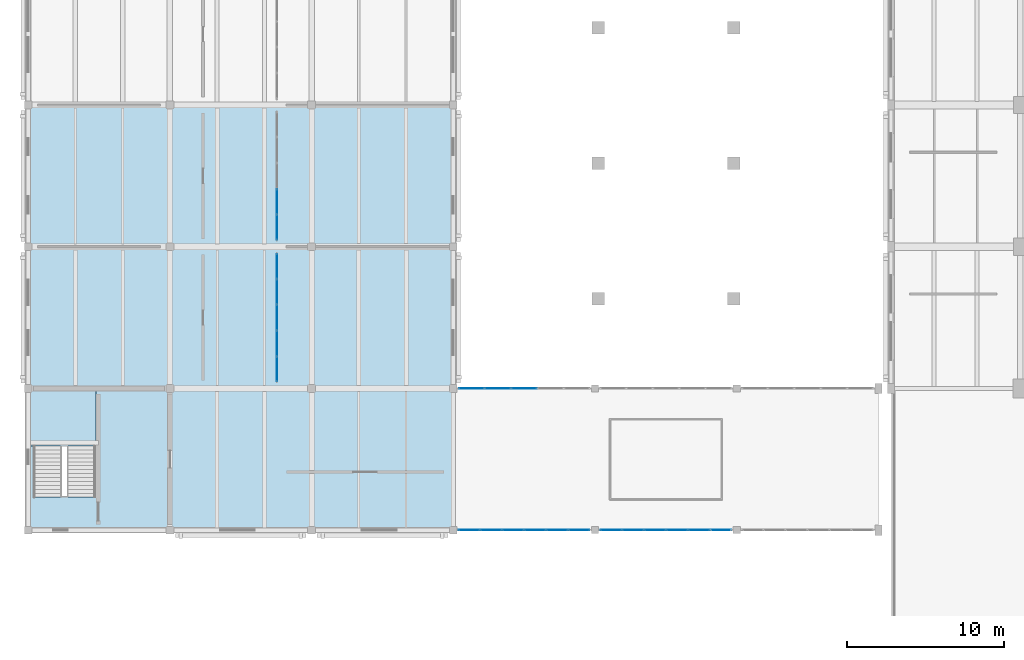
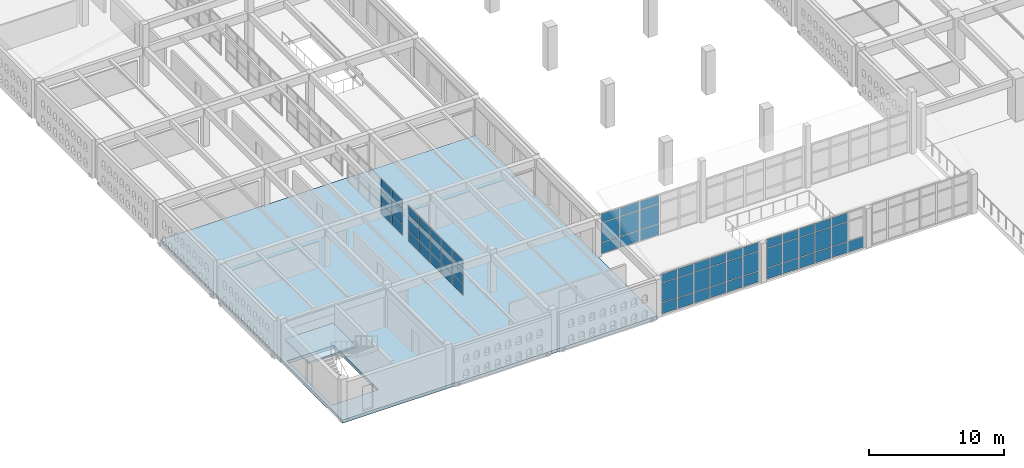
# One storey, part 106 of 156: 64 plates, 2 slabs, 6 elements without a shape of their own.
"""IFC4 building model written with IfcOpenShell, lengths in metres."""

from ifc_helpers import new_model, si_unit, direction, frame, origin, origin_2d, place, context, subcontext, project, spatial, polyline, rectangle, outline, extrude, material, layer, layer_set, type_object, element, aggregate, save


model = new_model("IFC4")

# Units and contexts
model_context = context("Model", 3, precision=1e-05, world=origin(), true_north=direction((0.0, 1.0)))
body_context = subcontext(model_context, "Body", "Model", "MODEL_VIEW")
ifc_project = project(units=[si_unit("LENGTHUNIT", "METRE"), si_unit("AREAUNIT", "SQUARE_METRE"), si_unit("VOLUMEUNIT", "CUBIC_METRE"), si_unit("PLANEANGLEUNIT", "RADIAN"), si_unit("MASSUNIT", "GRAM", prefix="KILO")], contexts=[model_context])

# Site, building, storey
site_placement = place(None, origin())
site = spatial("IfcSite", under=ifc_project, at=site_placement, CompositionType="ELEMENT")
building_placement = place(site_placement, origin())
building = spatial("IfcBuilding", under=site, at=building_placement, Name="Ornek Quay Market", CompositionType="ELEMENT")
storey_placement = place(building_placement, frame((0.0, 0.0, 4.5)))
storey = spatial("IfcBuildingStorey", under=building, at=storey_placement, Name="L01", CompositionType="ELEMENT", Elevation=4.5)

# Curtain wall, plates
ifc_material_1 = material(Name="Anodised bronze aluminium and triple low-e glass", Category="aluminium")
ifc_layer_1 = layer(ifc_material_1, 0.179931640625, Name="Anodised bronze aluminium and triple low-e glass", Category="aluminium")
ifc_layer_set_1 = layer_set([ifc_layer_1], Name="Anodised bronze aluminium and triple low-e glass")
curtain_wall_type_1 = type_object("IfcCurtainWallType", Name="CW-CONC-MOD1500", PredefinedType="USERDEFINED", material=ifc_layer_set_1)
curtain_wall_1_placement = place(storey_placement, origin())
curtain_wall_1 = element("IfcCurtainWall", 1, at=curtain_wall_1_placement, inside=storey, type_object=curtain_wall_type_1, Name="Curtain wall CW-133", ObjectType="CURTAIN WALL", PredefinedType="USERDEFINED")
ifc_material_2 = material(Name="Toughened laminated acoustic glass", Category="glass")
ifc_layer_2 = layer(ifc_material_2, 0.01611328125, Name="Toughened laminated acoustic glass", Category="glass")
ifc_layer_set_2 = layer_set([ifc_layer_2], Name="Toughened laminated acoustic glass")
plate_type_1 = type_object("IfcPlateType", Name="PL-CW-INT-16", PredefinedType="CURTAIN_PANEL", material=ifc_layer_set_2)
plate_1_placement = place(storey_placement, frame((15.800048828125, 30.235107421875, 0.06005859375), z_axis=(0.0, 0.0, 1.0), x_axis=(0.0, 1.0, 0.0)))
plate_1 = element("IfcPlate", 2, at=plate_1_placement, type_object=plate_type_1, Name="CW-133 panel 1.1", PredefinedType="CURTAIN_PANEL", context=body_context, shape_type="SweptSolid", body=[
    extrude(rectangle(XDim=1.550048828125, YDim=0.01611328125, at=origin_2d()), origin(), (0.0, 0.0, 1.0), 0.9599609375),
])
plate_2_placement = place(storey_placement, frame((15.800048828125, 30.235107421875, 1.080078125), z_axis=(0.0, 0.0, 1.0), x_axis=(0.0, 1.0, 0.0)))
plate_2 = element("IfcPlate", 3, at=plate_2_placement, type_object=plate_type_1, Name="CW-133 panel 1.2", PredefinedType="CURTAIN_PANEL", context=body_context, shape_type="SweptSolid", body=[
    extrude(rectangle(XDim=1.550048828125, YDim=0.01611328125, at=origin_2d()), origin(), (0.0, 0.0, 1.0), 1.340087890625),
])
plate_3_placement = place(storey_placement, frame((15.800048828125, 30.235107421875, 2.47998046875), z_axis=(0.0, 0.0, 1.0), x_axis=(0.0, 1.0, 0.0)))
plate_3 = element("IfcPlate", 4, at=plate_3_placement, type_object=plate_type_1, Name="CW-133 panel 1.3", PredefinedType="CURTAIN_PANEL", context=body_context, shape_type="SweptSolid", body=[
    extrude(rectangle(XDim=1.550048828125, YDim=0.01611328125, at=origin_2d()), origin(), (0.0, 0.0, 1.0), 0.760009765625),
])
plate_4_placement = place(storey_placement, frame((15.800048828125, 31.860107421875, 0.06005859375), z_axis=(0.0, 0.0, 1.0), x_axis=(0.0, 1.0, 0.0)))
plate_4 = element("IfcPlate", 5, at=plate_4_placement, type_object=plate_type_1, Name="CW-133 panel 2.1", PredefinedType="CURTAIN_PANEL", context=body_context, shape_type="SweptSolid", body=[
    extrude(rectangle(XDim=1.580078125, YDim=0.01611328125, at=origin_2d()), origin(), (0.0, 0.0, 1.0), 0.9599609375),
])
plate_5_placement = place(storey_placement, frame((15.800048828125, 31.860107421875, 1.080078125), z_axis=(0.0, 0.0, 1.0), x_axis=(0.0, 1.0, 0.0)))
plate_5 = element("IfcPlate", 6, at=plate_5_placement, type_object=plate_type_1, Name="CW-133 panel 2.2", PredefinedType="CURTAIN_PANEL", context=body_context, shape_type="SweptSolid", body=[
    extrude(rectangle(XDim=1.580078125, YDim=0.01611328125, at=origin_2d()), origin(), (0.0, 0.0, 1.0), 1.340087890625),
])
plate_6_placement = place(storey_placement, frame((15.800048828125, 31.860107421875, 2.47998046875), z_axis=(0.0, 0.0, 1.0), x_axis=(0.0, 1.0, 0.0)))
plate_6 = element("IfcPlate", 7, at=plate_6_placement, type_object=plate_type_1, Name="CW-133 panel 2.3", PredefinedType="CURTAIN_PANEL", context=body_context, shape_type="SweptSolid", body=[
    extrude(rectangle(XDim=1.580078125, YDim=0.01611328125, at=origin_2d()), origin(), (0.0, 0.0, 1.0), 0.760009765625),
])
plate_7_placement = place(storey_placement, frame((15.800048828125, 33.5, 0.06005859375), z_axis=(0.0, 0.0, 1.0), x_axis=(0.0, 1.0, 0.0)))
plate_7 = element("IfcPlate", 8, at=plate_7_placement, type_object=plate_type_1, Name="CW-133 panel 3.1", PredefinedType="CURTAIN_PANEL", context=body_context, shape_type="SweptSolid", body=[
    extrude(rectangle(XDim=1.580078125, YDim=0.01611328125, at=origin_2d()), origin(), (0.0, 0.0, 1.0), 0.9599609375),
])
plate_8_placement = place(storey_placement, frame((15.800048828125, 33.5, 1.080078125), z_axis=(0.0, 0.0, 1.0), x_axis=(0.0, 1.0, 0.0)))
plate_8 = element("IfcPlate", 9, at=plate_8_placement, type_object=plate_type_1, Name="CW-133 panel 3.2", PredefinedType="CURTAIN_PANEL", context=body_context, shape_type="SweptSolid", body=[
    extrude(rectangle(XDim=1.580078125, YDim=0.01611328125, at=origin_2d()), origin(), (0.0, 0.0, 1.0), 1.340087890625),
])
plate_9_placement = place(storey_placement, frame((15.800048828125, 33.5, 2.47998046875), z_axis=(0.0, 0.0, 1.0), x_axis=(0.0, 1.0, 0.0)))
plate_9 = element("IfcPlate", 10, at=plate_9_placement, type_object=plate_type_1, Name="CW-133 panel 3.3", PredefinedType="CURTAIN_PANEL", context=body_context, shape_type="SweptSolid", body=[
    extrude(rectangle(XDim=1.580078125, YDim=0.01611328125, at=origin_2d()), origin(), (0.0, 0.0, 1.0), 0.760009765625),
])
plate_10_placement = place(storey_placement, frame((15.800048828125, 35.139892578125, 0.06005859375), z_axis=(0.0, 0.0, 1.0), x_axis=(0.0, 1.0, 0.0)))
plate_10 = element("IfcPlate", 11, at=plate_10_placement, type_object=plate_type_1, Name="CW-133 panel 4.1", PredefinedType="CURTAIN_PANEL", context=body_context, shape_type="SweptSolid", body=[
    extrude(rectangle(XDim=1.580078125, YDim=0.01611328125, at=origin_2d()), origin(), (0.0, 0.0, 1.0), 0.9599609375),
])
plate_11_placement = place(storey_placement, frame((15.800048828125, 35.139892578125, 1.080078125), z_axis=(0.0, 0.0, 1.0), x_axis=(0.0, 1.0, 0.0)))
plate_11 = element("IfcPlate", 12, at=plate_11_placement, type_object=plate_type_1, Name="CW-133 panel 4.2", PredefinedType="CURTAIN_PANEL", context=body_context, shape_type="SweptSolid", body=[
    extrude(rectangle(XDim=1.580078125, YDim=0.01611328125, at=origin_2d()), origin(), (0.0, 0.0, 1.0), 1.340087890625),
])
plate_12_placement = place(storey_placement, frame((15.800048828125, 35.139892578125, 2.47998046875), z_axis=(0.0, 0.0, 1.0), x_axis=(0.0, 1.0, 0.0)))
plate_12 = element("IfcPlate", 13, at=plate_12_placement, type_object=plate_type_1, Name="CW-133 panel 4.3", PredefinedType="CURTAIN_PANEL", context=body_context, shape_type="SweptSolid", body=[
    extrude(rectangle(XDim=1.580078125, YDim=0.01611328125, at=origin_2d()), origin(), (0.0, 0.0, 1.0), 0.760009765625),
])
plate_13_placement = place(storey_placement, frame((15.800048828125, 36.764892578125, 0.06005859375), z_axis=(0.0, 0.0, 1.0), x_axis=(0.0, 1.0, 0.0)))
plate_13 = element("IfcPlate", 14, at=plate_13_placement, type_object=plate_type_1, Name="CW-133 panel 5.1", PredefinedType="CURTAIN_PANEL", context=body_context, shape_type="SweptSolid", body=[
    extrude(rectangle(XDim=1.550048828125, YDim=0.01611328125, at=origin_2d()), origin(), (0.0, 0.0, 1.0), 0.9599609375),
])
plate_14_placement = place(storey_placement, frame((15.800048828125, 36.764892578125, 1.080078125), z_axis=(0.0, 0.0, 1.0), x_axis=(0.0, 1.0, 0.0)))
plate_14 = element("IfcPlate", 15, at=plate_14_placement, type_object=plate_type_1, Name="CW-133 panel 5.2", PredefinedType="CURTAIN_PANEL", context=body_context, shape_type="SweptSolid", body=[
    extrude(rectangle(XDim=1.550048828125, YDim=0.01611328125, at=origin_2d()), origin(), (0.0, 0.0, 1.0), 1.340087890625),
])
plate_15_placement = place(storey_placement, frame((15.800048828125, 36.764892578125, 2.47998046875), z_axis=(0.0, 0.0, 1.0), x_axis=(0.0, 1.0, 0.0)))
plate_15 = element("IfcPlate", 16, at=plate_15_placement, type_object=plate_type_1, Name="CW-133 panel 5.3", PredefinedType="CURTAIN_PANEL", context=body_context, shape_type="SweptSolid", body=[
    extrude(rectangle(XDim=1.550048828125, YDim=0.01611328125, at=origin_2d()), origin(), (0.0, 0.0, 1.0), 0.760009765625),
])
aggregate(curtain_wall_1, [plate_1, plate_2, plate_3, plate_4, plate_5, plate_6, plate_7, plate_8, plate_9, plate_10, plate_11, plate_12, plate_13, plate_14, plate_15])

curtain_wall_2_placement = place(storey_placement, origin())
curtain_wall_2 = element("IfcCurtainWall", 17, at=curtain_wall_2_placement, inside=storey, type_object=curtain_wall_type_1, Name="Curtain wall CW-135", ObjectType="CURTAIN WALL", PredefinedType="USERDEFINED")
plate_16_placement = place(storey_placement, frame((15.800048828125, 39.235107421875, 0.06005859375), z_axis=(0.0, 0.0, 1.0), x_axis=(0.0, 1.0, 0.0)))
plate_16 = element("IfcPlate", 18, at=plate_16_placement, type_object=plate_type_1, Name="CW-135 panel 1.1", PredefinedType="CURTAIN_PANEL", context=body_context, shape_type="SweptSolid", body=[
    extrude(rectangle(XDim=1.550048828125, YDim=0.01611328125, at=origin_2d()), origin(), (0.0, 0.0, 1.0), 0.9599609375),
])
plate_17_placement = place(storey_placement, frame((15.800048828125, 39.235107421875, 1.080078125), z_axis=(0.0, 0.0, 1.0), x_axis=(0.0, 1.0, 0.0)))
plate_17 = element("IfcPlate", 19, at=plate_17_placement, type_object=plate_type_1, Name="CW-135 panel 1.2", PredefinedType="CURTAIN_PANEL", context=body_context, shape_type="SweptSolid", body=[
    extrude(rectangle(XDim=1.550048828125, YDim=0.01611328125, at=origin_2d()), origin(), (0.0, 0.0, 1.0), 1.340087890625),
])
plate_18_placement = place(storey_placement, frame((15.800048828125, 39.235107421875, 2.47998046875), z_axis=(0.0, 0.0, 1.0), x_axis=(0.0, 1.0, 0.0)))
plate_18 = element("IfcPlate", 20, at=plate_18_placement, type_object=plate_type_1, Name="CW-135 panel 1.3", PredefinedType="CURTAIN_PANEL", context=body_context, shape_type="SweptSolid", body=[
    extrude(rectangle(XDim=1.550048828125, YDim=0.01611328125, at=origin_2d()), origin(), (0.0, 0.0, 1.0), 0.760009765625),
])
plate_19_placement = place(storey_placement, frame((15.800048828125, 40.860107421875, 0.06005859375), z_axis=(0.0, 0.0, 1.0), x_axis=(0.0, 1.0, 0.0)))
plate_19 = element("IfcPlate", 21, at=plate_19_placement, type_object=plate_type_1, Name="CW-135 panel 2.1", PredefinedType="CURTAIN_PANEL", context=body_context, shape_type="SweptSolid", body=[
    extrude(rectangle(XDim=1.580078125, YDim=0.01611328125, at=origin_2d()), origin(), (0.0, 0.0, 1.0), 0.9599609375),
])
plate_20_placement = place(storey_placement, frame((15.800048828125, 40.860107421875, 1.080078125), z_axis=(0.0, 0.0, 1.0), x_axis=(0.0, 1.0, 0.0)))
plate_20 = element("IfcPlate", 22, at=plate_20_placement, type_object=plate_type_1, Name="CW-135 panel 2.2", PredefinedType="CURTAIN_PANEL", context=body_context, shape_type="SweptSolid", body=[
    extrude(rectangle(XDim=1.580078125, YDim=0.01611328125, at=origin_2d()), origin(), (0.0, 0.0, 1.0), 1.340087890625),
])
plate_21_placement = place(storey_placement, frame((15.800048828125, 40.860107421875, 2.47998046875), z_axis=(0.0, 0.0, 1.0), x_axis=(0.0, 1.0, 0.0)))
plate_21 = element("IfcPlate", 23, at=plate_21_placement, type_object=plate_type_1, Name="CW-135 panel 2.3", PredefinedType="CURTAIN_PANEL", context=body_context, shape_type="SweptSolid", body=[
    extrude(rectangle(XDim=1.580078125, YDim=0.01611328125, at=origin_2d()), origin(), (0.0, 0.0, 1.0), 0.760009765625),
])
aggregate(curtain_wall_2, [plate_16, plate_17, plate_18, plate_19, plate_20, plate_21])

curtain_wall_3_placement = place(storey_placement, origin())
curtain_wall_3 = element("IfcCurtainWall", 24, at=curtain_wall_3_placement, inside=storey, type_object=curtain_wall_type_1, Name="Curtain wall CW-016", ObjectType="CURTAIN WALL", PredefinedType="USERDEFINED")
ifc_material_3 = material(Name="Triple insulated low-e glass", Category="glass")
ifc_layer_3 = layer(ifc_material_3, 0.035888671875, Name="Triple insulated low-e glass", Category="glass")
ifc_layer_set_3 = layer_set([ifc_layer_3], Name="Triple insulated low-e glass")
plate_type_2 = type_object("IfcPlateType", Name="PL-CW-TRIPLE-36", PredefinedType="CURTAIN_PANEL", material=ifc_layer_set_3)
plate_22_placement = place(storey_placement, frame((28.014892578125, 20.0, 0.06005859375), z_axis=(0.0, 0.0, 1.0), x_axis=(1.0, 0.0, 0.0)))
plate_22 = element("IfcPlate", 25, at=plate_22_placement, type_object=plate_type_2, Name="CW-016 panel 1.1", PredefinedType="CURTAIN_PANEL", context=body_context, shape_type="SweptSolid", body=[
    extrude(rectangle(XDim=1.31005859375, YDim=0.035888671875, at=origin_2d()), origin(), (0.0, 0.0, 1.0), 0.9599609375),
])
plate_23_placement = place(storey_placement, frame((28.014892578125, 20.0, 1.080078125), z_axis=(0.0, 0.0, 1.0), x_axis=(1.0, 0.0, 0.0)))
plate_23 = element("IfcPlate", 26, at=plate_23_placement, type_object=plate_type_2, Name="CW-016 panel 1.2", PredefinedType="CURTAIN_PANEL", context=body_context, shape_type="SweptSolid", body=[
    extrude(rectangle(XDim=1.31005859375, YDim=0.035888671875, at=origin_2d()), origin(), (0.0, 0.0, 1.0), 1.75),
])
plate_24_placement = place(storey_placement, frame((28.014892578125, 20.0, 2.89013671875), z_axis=(0.0, 0.0, 1.0), x_axis=(1.0, 0.0, 0.0)))
plate_24 = element("IfcPlate", 27, at=plate_24_placement, type_object=plate_type_2, Name="CW-016 panel 1.3", PredefinedType="CURTAIN_PANEL", context=body_context, shape_type="SweptSolid", body=[
    extrude(rectangle(XDim=1.31005859375, YDim=0.035888671875, at=origin_2d()), origin(), (0.0, 0.0, 1.0), 0.760009765625),
])
plate_25_placement = place(storey_placement, frame((29.39990234375, 20.0, 0.06005859375), z_axis=(0.0, 0.0, 1.0), x_axis=(1.0, 0.0, 0.0)))
plate_25 = element("IfcPlate", 28, at=plate_25_placement, type_object=plate_type_2, Name="CW-016 panel 2.1", PredefinedType="CURTAIN_PANEL", context=body_context, shape_type="SweptSolid", body=[
    extrude(rectangle(XDim=1.340087890625, YDim=0.035888671875, at=origin_2d()), origin(), (0.0, 0.0, 1.0), 0.9599609375),
])
plate_26_placement = place(storey_placement, frame((29.39990234375, 20.0, 1.080078125), z_axis=(0.0, 0.0, 1.0), x_axis=(1.0, 0.0, 0.0)))
plate_26 = element("IfcPlate", 29, at=plate_26_placement, type_object=plate_type_2, Name="CW-016 panel 2.2", PredefinedType="CURTAIN_PANEL", context=body_context, shape_type="SweptSolid", body=[
    extrude(rectangle(XDim=1.340087890625, YDim=0.035888671875, at=origin_2d()), origin(), (0.0, 0.0, 1.0), 1.75),
])
plate_27_placement = place(storey_placement, frame((29.39990234375, 20.0, 2.89013671875), z_axis=(0.0, 0.0, 1.0), x_axis=(1.0, 0.0, 0.0)))
plate_27 = element("IfcPlate", 30, at=plate_27_placement, type_object=plate_type_2, Name="CW-016 panel 2.3", PredefinedType="CURTAIN_PANEL", context=body_context, shape_type="SweptSolid", body=[
    extrude(rectangle(XDim=1.340087890625, YDim=0.035888671875, at=origin_2d()), origin(), (0.0, 0.0, 1.0), 0.760009765625),
])
plate_28_placement = place(storey_placement, frame((30.800048828125, 20.0, 0.06005859375), z_axis=(0.0, 0.0, 1.0), x_axis=(1.0, 0.0, 0.0)))
plate_28 = element("IfcPlate", 31, at=plate_28_placement, type_object=plate_type_2, Name="CW-016 panel 3.1", PredefinedType="CURTAIN_PANEL", context=body_context, shape_type="SweptSolid", body=[
    extrude(rectangle(XDim=1.340087890625, YDim=0.035888671875, at=origin_2d()), origin(), (0.0, 0.0, 1.0), 0.9599609375),
])
plate_29_placement = place(storey_placement, frame((30.800048828125, 20.0, 1.080078125), z_axis=(0.0, 0.0, 1.0), x_axis=(1.0, 0.0, 0.0)))
plate_29 = element("IfcPlate", 32, at=plate_29_placement, type_object=plate_type_2, Name="CW-016 panel 3.2", PredefinedType="CURTAIN_PANEL", context=body_context, shape_type="SweptSolid", body=[
    extrude(rectangle(XDim=1.340087890625, YDim=0.035888671875, at=origin_2d()), origin(), (0.0, 0.0, 1.0), 1.75),
])
plate_30_placement = place(storey_placement, frame((30.800048828125, 20.0, 2.89013671875), z_axis=(0.0, 0.0, 1.0), x_axis=(1.0, 0.0, 0.0)))
plate_30 = element("IfcPlate", 33, at=plate_30_placement, type_object=plate_type_2, Name="CW-016 panel 3.3", PredefinedType="CURTAIN_PANEL", context=body_context, shape_type="SweptSolid", body=[
    extrude(rectangle(XDim=1.340087890625, YDim=0.035888671875, at=origin_2d()), origin(), (0.0, 0.0, 1.0), 0.760009765625),
])
plate_31_placement = place(storey_placement, frame((32.199951171875, 20.0, 0.06005859375), z_axis=(0.0, 0.0, 1.0), x_axis=(1.0, 0.0, 0.0)))
plate_31 = element("IfcPlate", 34, at=plate_31_placement, type_object=plate_type_2, Name="CW-016 panel 4.1", PredefinedType="CURTAIN_PANEL", context=body_context, shape_type="SweptSolid", body=[
    extrude(rectangle(XDim=1.340087890625, YDim=0.035888671875, at=origin_2d()), origin(), (0.0, 0.0, 1.0), 0.9599609375),
])
plate_32_placement = place(storey_placement, frame((32.199951171875, 20.0, 1.080078125), z_axis=(0.0, 0.0, 1.0), x_axis=(1.0, 0.0, 0.0)))
plate_32 = element("IfcPlate", 35, at=plate_32_placement, type_object=plate_type_2, Name="CW-016 panel 4.2", PredefinedType="CURTAIN_PANEL", context=body_context, shape_type="SweptSolid", body=[
    extrude(rectangle(XDim=1.340087890625, YDim=0.035888671875, at=origin_2d()), origin(), (0.0, 0.0, 1.0), 1.75),
])
plate_33_placement = place(storey_placement, frame((32.199951171875, 20.0, 2.89013671875), z_axis=(0.0, 0.0, 1.0), x_axis=(1.0, 0.0, 0.0)))
plate_33 = element("IfcPlate", 36, at=plate_33_placement, type_object=plate_type_2, Name="CW-016 panel 4.3", PredefinedType="CURTAIN_PANEL", context=body_context, shape_type="SweptSolid", body=[
    extrude(rectangle(XDim=1.340087890625, YDim=0.035888671875, at=origin_2d()), origin(), (0.0, 0.0, 1.0), 0.760009765625),
])
plate_34_placement = place(storey_placement, frame((33.60009765625, 20.0, 0.06005859375), z_axis=(0.0, 0.0, 1.0), x_axis=(1.0, 0.0, 0.0)))
plate_34 = element("IfcPlate", 37, at=plate_34_placement, type_object=plate_type_2, Name="CW-016 panel 5.1", PredefinedType="CURTAIN_PANEL", context=body_context, shape_type="SweptSolid", body=[
    extrude(rectangle(XDim=1.340087890625, YDim=0.035888671875, at=origin_2d()), origin(), (0.0, 0.0, 1.0), 0.9599609375),
])
plate_35_placement = place(storey_placement, frame((33.60009765625, 20.0, 1.080078125), z_axis=(0.0, 0.0, 1.0), x_axis=(1.0, 0.0, 0.0)))
plate_35 = element("IfcPlate", 38, at=plate_35_placement, type_object=plate_type_2, Name="CW-016 panel 5.2", PredefinedType="CURTAIN_PANEL", context=body_context, shape_type="SweptSolid", body=[
    extrude(rectangle(XDim=1.340087890625, YDim=0.035888671875, at=origin_2d()), origin(), (0.0, 0.0, 1.0), 1.75),
])
plate_36_placement = place(storey_placement, frame((33.60009765625, 20.0, 2.89013671875), z_axis=(0.0, 0.0, 1.0), x_axis=(1.0, 0.0, 0.0)))
plate_36 = element("IfcPlate", 39, at=plate_36_placement, type_object=plate_type_2, Name="CW-016 panel 5.3", PredefinedType="CURTAIN_PANEL", context=body_context, shape_type="SweptSolid", body=[
    extrude(rectangle(XDim=1.340087890625, YDim=0.035888671875, at=origin_2d()), origin(), (0.0, 0.0, 1.0), 0.760009765625),
])
plate_37_placement = place(storey_placement, frame((34.985107421875, 20.0, 0.06005859375), z_axis=(0.0, 0.0, 1.0), x_axis=(1.0, 0.0, 0.0)))
plate_37 = element("IfcPlate", 40, at=plate_37_placement, type_object=plate_type_2, Name="CW-016 panel 6.1", PredefinedType="CURTAIN_PANEL", context=body_context, shape_type="SweptSolid", body=[
    extrude(rectangle(XDim=1.31005859375, YDim=0.035888671875, at=origin_2d()), origin(), (0.0, 0.0, 1.0), 0.9599609375),
])
plate_38_placement = place(storey_placement, frame((34.985107421875, 20.0, 1.080078125), z_axis=(0.0, 0.0, 1.0), x_axis=(1.0, 0.0, 0.0)))
plate_38 = element("IfcPlate", 41, at=plate_38_placement, type_object=plate_type_2, Name="CW-016 panel 6.2", PredefinedType="CURTAIN_PANEL", context=body_context, shape_type="SweptSolid", body=[
    extrude(rectangle(XDim=1.31005859375, YDim=0.035888671875, at=origin_2d()), origin(), (0.0, 0.0, 1.0), 1.75),
])
plate_39_placement = place(storey_placement, frame((34.985107421875, 20.0, 2.89013671875), z_axis=(0.0, 0.0, 1.0), x_axis=(1.0, 0.0, 0.0)))
plate_39 = element("IfcPlate", 42, at=plate_39_placement, type_object=plate_type_2, Name="CW-016 panel 6.3", PredefinedType="CURTAIN_PANEL", context=body_context, shape_type="SweptSolid", body=[
    extrude(rectangle(XDim=1.31005859375, YDim=0.035888671875, at=origin_2d()), origin(), (0.0, 0.0, 1.0), 0.760009765625),
])
aggregate(curtain_wall_3, [plate_22, plate_23, plate_24, plate_25, plate_26, plate_27, plate_28, plate_29, plate_30, plate_31, plate_32, plate_33, plate_34, plate_35, plate_36, plate_37, plate_38, plate_39])

curtain_wall_4_placement = place(storey_placement, origin())
curtain_wall_4 = element("IfcCurtainWall", 43, at=curtain_wall_4_placement, inside=storey, type_object=curtain_wall_type_1, Name="Curtain wall CW-020", ObjectType="CURTAIN WALL", PredefinedType="USERDEFINED")
plate_40_placement = place(storey_placement, frame((37.014892578125, 20.0, 0.06005859375), z_axis=(0.0, 0.0, 1.0), x_axis=(1.0, 0.0, 0.0)))
plate_40 = element("IfcPlate", 44, at=plate_40_placement, type_object=plate_type_2, Name="CW-020 panel 1.1", PredefinedType="CURTAIN_PANEL", context=body_context, shape_type="SweptSolid", body=[
    extrude(rectangle(XDim=1.31005859375, YDim=0.035888671875, at=origin_2d()), origin(), (0.0, 0.0, 1.0), 0.9599609375),
])
plate_41_placement = place(storey_placement, frame((37.014892578125, 20.0, 1.080078125), z_axis=(0.0, 0.0, 1.0), x_axis=(1.0, 0.0, 0.0)))
plate_41 = element("IfcPlate", 45, at=plate_41_placement, type_object=plate_type_2, Name="CW-020 panel 1.2", PredefinedType="CURTAIN_PANEL", context=body_context, shape_type="SweptSolid", body=[
    extrude(rectangle(XDim=1.31005859375, YDim=0.035888671875, at=origin_2d()), origin(), (0.0, 0.0, 1.0), 1.75),
])
plate_42_placement = place(storey_placement, frame((37.014892578125, 20.0, 2.89013671875), z_axis=(0.0, 0.0, 1.0), x_axis=(1.0, 0.0, 0.0)))
plate_42 = element("IfcPlate", 46, at=plate_42_placement, type_object=plate_type_2, Name="CW-020 panel 1.3", PredefinedType="CURTAIN_PANEL", context=body_context, shape_type="SweptSolid", body=[
    extrude(rectangle(XDim=1.31005859375, YDim=0.035888671875, at=origin_2d()), origin(), (0.0, 0.0, 1.0), 0.760009765625),
])
plate_43_placement = place(storey_placement, frame((38.39990234375, 20.0, 0.06005859375), z_axis=(0.0, 0.0, 1.0), x_axis=(1.0, 0.0, 0.0)))
plate_43 = element("IfcPlate", 47, at=plate_43_placement, type_object=plate_type_2, Name="CW-020 panel 2.1", PredefinedType="CURTAIN_PANEL", context=body_context, shape_type="SweptSolid", body=[
    extrude(rectangle(XDim=1.340087890625, YDim=0.035888671875, at=origin_2d()), origin(), (0.0, 0.0, 1.0), 0.9599609375),
])
plate_44_placement = place(storey_placement, frame((38.39990234375, 20.0, 1.080078125), z_axis=(0.0, 0.0, 1.0), x_axis=(1.0, 0.0, 0.0)))
plate_44 = element("IfcPlate", 48, at=plate_44_placement, type_object=plate_type_2, Name="CW-020 panel 2.2", PredefinedType="CURTAIN_PANEL", context=body_context, shape_type="SweptSolid", body=[
    extrude(rectangle(XDim=1.340087890625, YDim=0.035888671875, at=origin_2d()), origin(), (0.0, 0.0, 1.0), 1.75),
])
plate_45_placement = place(storey_placement, frame((38.39990234375, 20.0, 2.89013671875), z_axis=(0.0, 0.0, 1.0), x_axis=(1.0, 0.0, 0.0)))
plate_45 = element("IfcPlate", 49, at=plate_45_placement, type_object=plate_type_2, Name="CW-020 panel 2.3", PredefinedType="CURTAIN_PANEL", context=body_context, shape_type="SweptSolid", body=[
    extrude(rectangle(XDim=1.340087890625, YDim=0.035888671875, at=origin_2d()), origin(), (0.0, 0.0, 1.0), 0.760009765625),
])
plate_46_placement = place(storey_placement, frame((39.800048828125, 20.0, 0.06005859375), z_axis=(0.0, 0.0, 1.0), x_axis=(1.0, 0.0, 0.0)))
plate_46 = element("IfcPlate", 50, at=plate_46_placement, type_object=plate_type_2, Name="CW-020 panel 3.1", PredefinedType="CURTAIN_PANEL", context=body_context, shape_type="SweptSolid", body=[
    extrude(rectangle(XDim=1.340087890625, YDim=0.035888671875, at=origin_2d()), origin(), (0.0, 0.0, 1.0), 0.9599609375),
])
plate_47_placement = place(storey_placement, frame((39.800048828125, 20.0, 1.080078125), z_axis=(0.0, 0.0, 1.0), x_axis=(1.0, 0.0, 0.0)))
plate_47 = element("IfcPlate", 51, at=plate_47_placement, type_object=plate_type_2, Name="CW-020 panel 3.2", PredefinedType="CURTAIN_PANEL", context=body_context, shape_type="SweptSolid", body=[
    extrude(rectangle(XDim=1.340087890625, YDim=0.035888671875, at=origin_2d()), origin(), (0.0, 0.0, 1.0), 1.75),
])
plate_48_placement = place(storey_placement, frame((39.800048828125, 20.0, 2.89013671875), z_axis=(0.0, 0.0, 1.0), x_axis=(1.0, 0.0, 0.0)))
plate_48 = element("IfcPlate", 52, at=plate_48_placement, type_object=plate_type_2, Name="CW-020 panel 3.3", PredefinedType="CURTAIN_PANEL", context=body_context, shape_type="SweptSolid", body=[
    extrude(rectangle(XDim=1.340087890625, YDim=0.035888671875, at=origin_2d()), origin(), (0.0, 0.0, 1.0), 0.760009765625),
])
plate_49_placement = place(storey_placement, frame((41.199951171875, 20.0, 0.06005859375), z_axis=(0.0, 0.0, 1.0), x_axis=(1.0, 0.0, 0.0)))
plate_49 = element("IfcPlate", 53, at=plate_49_placement, type_object=plate_type_2, Name="CW-020 panel 4.1", PredefinedType="CURTAIN_PANEL", context=body_context, shape_type="SweptSolid", body=[
    extrude(rectangle(XDim=1.340087890625, YDim=0.035888671875, at=origin_2d()), origin(), (0.0, 0.0, 1.0), 0.9599609375),
])
plate_50_placement = place(storey_placement, frame((41.199951171875, 20.0, 1.080078125), z_axis=(0.0, 0.0, 1.0), x_axis=(1.0, 0.0, 0.0)))
plate_50 = element("IfcPlate", 54, at=plate_50_placement, type_object=plate_type_2, Name="CW-020 panel 4.2", PredefinedType="CURTAIN_PANEL", context=body_context, shape_type="SweptSolid", body=[
    extrude(rectangle(XDim=1.340087890625, YDim=0.035888671875, at=origin_2d()), origin(), (0.0, 0.0, 1.0), 1.75),
])
plate_51_placement = place(storey_placement, frame((41.199951171875, 20.0, 2.89013671875), z_axis=(0.0, 0.0, 1.0), x_axis=(1.0, 0.0, 0.0)))
plate_51 = element("IfcPlate", 55, at=plate_51_placement, type_object=plate_type_2, Name="CW-020 panel 4.3", PredefinedType="CURTAIN_PANEL", context=body_context, shape_type="SweptSolid", body=[
    extrude(rectangle(XDim=1.340087890625, YDim=0.035888671875, at=origin_2d()), origin(), (0.0, 0.0, 1.0), 0.760009765625),
])
plate_52_placement = place(storey_placement, frame((42.60009765625, 20.0, 0.06005859375), z_axis=(0.0, 0.0, 1.0), x_axis=(1.0, 0.0, 0.0)))
plate_52 = element("IfcPlate", 56, at=plate_52_placement, type_object=plate_type_2, Name="CW-020 panel 5.1", PredefinedType="CURTAIN_PANEL", context=body_context, shape_type="SweptSolid", body=[
    extrude(rectangle(XDim=1.340087890625, YDim=0.035888671875, at=origin_2d()), origin(), (0.0, 0.0, 1.0), 0.9599609375),
])
plate_53_placement = place(storey_placement, frame((42.60009765625, 20.0, 1.080078125), z_axis=(0.0, 0.0, 1.0), x_axis=(1.0, 0.0, 0.0)))
plate_53 = element("IfcPlate", 57, at=plate_53_placement, type_object=plate_type_2, Name="CW-020 panel 5.2", PredefinedType="CURTAIN_PANEL", context=body_context, shape_type="SweptSolid", body=[
    extrude(rectangle(XDim=1.340087890625, YDim=0.035888671875, at=origin_2d()), origin(), (0.0, 0.0, 1.0), 1.75),
])
plate_54_placement = place(storey_placement, frame((42.60009765625, 20.0, 2.89013671875), z_axis=(0.0, 0.0, 1.0), x_axis=(1.0, 0.0, 0.0)))
plate_54 = element("IfcPlate", 58, at=plate_54_placement, type_object=plate_type_2, Name="CW-020 panel 5.3", PredefinedType="CURTAIN_PANEL", context=body_context, shape_type="SweptSolid", body=[
    extrude(rectangle(XDim=1.340087890625, YDim=0.035888671875, at=origin_2d()), origin(), (0.0, 0.0, 1.0), 0.760009765625),
])
plate_55_placement = place(storey_placement, frame((43.985107421875, 20.0, 0.06005859375), z_axis=(0.0, 0.0, 1.0), x_axis=(1.0, 0.0, 0.0)))
plate_55 = element("IfcPlate", 59, at=plate_55_placement, type_object=plate_type_2, Name="CW-020 panel 6.1", PredefinedType="CURTAIN_PANEL", context=body_context, shape_type="SweptSolid", body=[
    extrude(rectangle(XDim=1.31005859375, YDim=0.035888671875, at=origin_2d()), origin(), (0.0, 0.0, 1.0), 0.9599609375),
])
aggregate(curtain_wall_4, [plate_40, plate_41, plate_42, plate_43, plate_44, plate_45, plate_46, plate_47, plate_48, plate_49, plate_50, plate_51, plate_52, plate_53, plate_54, plate_55])

ifc_layer_4 = layer(ifc_material_1, 0.199951171875, Name="Anodised bronze aluminium and triple low-e glass", Category="aluminium")
ifc_layer_set_4 = layer_set([ifc_layer_4], Name="Anodised bronze aluminium and triple low-e glass")
curtain_wall_type_2 = type_object("IfcCurtainWallType", Name="CW-CONC-MOD1800", PredefinedType="USERDEFINED", material=ifc_layer_set_4)
curtain_wall_5_placement = place(storey_placement, origin())
curtain_wall_5 = element("IfcCurtainWall", 60, at=curtain_wall_5_placement, inside=storey, type_object=curtain_wall_type_2, Name="Curtain wall CW-015", ObjectType="CURTAIN WALL", PredefinedType="USERDEFINED")
ifc_layer_5 = layer(ifc_material_3, 0.0419921875, Name="Triple insulated low-e glass", Category="glass")
ifc_layer_set_5 = layer_set([ifc_layer_5], Name="Triple insulated low-e glass")
plate_type_3 = type_object("IfcPlateType", Name="PL-CW-TRIPLE-42", PredefinedType="CURTAIN_PANEL", material=ifc_layer_set_5)
plate_56_placement = place(storey_placement, frame((28.15625, 29.0, 0.06494140625), z_axis=(0.0, 0.0, 1.0), x_axis=(1.0, 0.0, 0.0)))
plate_56 = element("IfcPlate", 61, at=plate_56_placement, type_object=plate_type_3, Name="CW-015 panel 1.1", PredefinedType="CURTAIN_PANEL", context=body_context, shape_type="SweptSolid", body=[
    extrude(rectangle(XDim=1.58251953125, YDim=0.0419921875, at=origin_2d()), origin(), (0.0, 0.0, 1.0), 0.952392578125),
])
plate_57_placement = place(storey_placement, frame((28.15625, 29.0, 1.08251953125), z_axis=(0.0, 0.0, 1.0), x_axis=(1.0, 0.0, 0.0)))
plate_57 = element("IfcPlate", 62, at=plate_57_placement, type_object=plate_type_3, Name="CW-015 panel 1.2", PredefinedType="CURTAIN_PANEL", context=body_context, shape_type="SweptSolid", body=[
    extrude(rectangle(XDim=1.58251953125, YDim=0.0419921875, at=origin_2d()), origin(), (0.0, 0.0, 1.0), 1.7451171875),
])
plate_58_placement = place(storey_placement, frame((28.15625, 29.0, 2.892578125), z_axis=(0.0, 0.0, 1.0), x_axis=(1.0, 0.0, 0.0)))
plate_58 = element("IfcPlate", 63, at=plate_58_placement, type_object=plate_type_3, Name="CW-015 panel 1.3", PredefinedType="CURTAIN_PANEL", context=body_context, shape_type="SweptSolid", body=[
    extrude(rectangle(XDim=1.58251953125, YDim=0.0419921875, at=origin_2d()), origin(), (0.0, 0.0, 1.0), 0.75244140625),
])
plate_59_placement = place(storey_placement, frame((29.820068359375, 29.0, 0.06494140625), z_axis=(0.0, 0.0, 1.0), x_axis=(1.0, 0.0, 0.0)))
plate_59 = element("IfcPlate", 64, at=plate_59_placement, type_object=plate_type_3, Name="CW-015 panel 2.1", PredefinedType="CURTAIN_PANEL", context=body_context, shape_type="SweptSolid", body=[
    extrude(rectangle(XDim=1.614990234375, YDim=0.0419921875, at=origin_2d()), origin(), (0.0, 0.0, 1.0), 0.952392578125),
])
plate_60_placement = place(storey_placement, frame((29.820068359375, 29.0, 1.08251953125), z_axis=(0.0, 0.0, 1.0), x_axis=(1.0, 0.0, 0.0)))
plate_60 = element("IfcPlate", 65, at=plate_60_placement, type_object=plate_type_3, Name="CW-015 panel 2.2", PredefinedType="CURTAIN_PANEL", context=body_context, shape_type="SweptSolid", body=[
    extrude(rectangle(XDim=1.614990234375, YDim=0.0419921875, at=origin_2d()), origin(), (0.0, 0.0, 1.0), 1.7451171875),
])
plate_61_placement = place(storey_placement, frame((29.820068359375, 29.0, 2.892578125), z_axis=(0.0, 0.0, 1.0), x_axis=(1.0, 0.0, 0.0)))
plate_61 = element("IfcPlate", 66, at=plate_61_placement, type_object=plate_type_3, Name="CW-015 panel 2.3", PredefinedType="CURTAIN_PANEL", context=body_context, shape_type="SweptSolid", body=[
    extrude(rectangle(XDim=1.614990234375, YDim=0.0419921875, at=origin_2d()), origin(), (0.0, 0.0, 1.0), 0.75244140625),
])
plate_62_placement = place(storey_placement, frame((31.5, 29.0, 0.06494140625), z_axis=(0.0, 0.0, 1.0), x_axis=(1.0, 0.0, 0.0)))
plate_62 = element("IfcPlate", 67, at=plate_62_placement, type_object=plate_type_3, Name="CW-015 panel 3.1", PredefinedType="CURTAIN_PANEL", context=body_context, shape_type="SweptSolid", body=[
    extrude(rectangle(XDim=1.614990234375, YDim=0.0419921875, at=origin_2d()), origin(), (0.0, 0.0, 1.0), 0.952392578125),
])
plate_63_placement = place(storey_placement, frame((31.5, 29.0, 1.08251953125), z_axis=(0.0, 0.0, 1.0), x_axis=(1.0, 0.0, 0.0)))
plate_63 = element("IfcPlate", 68, at=plate_63_placement, type_object=plate_type_3, Name="CW-015 panel 3.2", PredefinedType="CURTAIN_PANEL", context=body_context, shape_type="SweptSolid", body=[
    extrude(rectangle(XDim=1.614990234375, YDim=0.0419921875, at=origin_2d()), origin(), (0.0, 0.0, 1.0), 1.7451171875),
])
plate_64_placement = place(storey_placement, frame((31.5, 29.0, 2.892578125), z_axis=(0.0, 0.0, 1.0), x_axis=(1.0, 0.0, 0.0)))
plate_64 = element("IfcPlate", 69, at=plate_64_placement, type_object=plate_type_3, Name="CW-015 panel 3.3", PredefinedType="CURTAIN_PANEL", context=body_context, shape_type="SweptSolid", body=[
    extrude(rectangle(XDim=1.614990234375, YDim=0.0419921875, at=origin_2d()), origin(), (0.0, 0.0, 1.0), 0.75244140625),
])
aggregate(curtain_wall_5, [plate_56, plate_57, plate_58, plate_59, plate_60, plate_61, plate_62, plate_63, plate_64])

# Slab
ifc_material_4 = material(Name="Concrete C35/45", Category="concrete")
ifc_layer_6 = layer(ifc_material_4, 0.280029296875, Name="Concrete C35/45", Category="concrete")
ifc_layer_set_6 = layer_set([ifc_layer_6], Name="Concrete C35/45")
slab_type_1 = type_object("IfcSlabType", Name="SL-FLR-WING-280", PredefinedType="FLOOR", material=ifc_layer_set_6)
slab_1_placement = place(storey_placement, frame((0.0, 0.0, -0.280029296875)))
element("IfcSlab", 70, at=slab_1_placement, inside=storey, type_object=slab_type_1, Name="Slab S-023 (L01)", PredefinedType="FLOOR", context=body_context, shape_type="SweptSolid", body=[
    extrude(outline(polyline([(0.0, 20.0), (27.0, 20.0), (27.0, 47.0), (0.0, 47.0), (0.0, 20.0)]), holes=[polyline([(0.300048828125, 28.699951171875), (4.300048828125, 28.699951171875), (4.300048828125, 22.10009765625), (0.300048828125, 22.10009765625), (0.300048828125, 28.699951171875)])]), origin(), (0.0, 0.0, 1.0), 0.280029296875),
])

# Stair, slab
ifc_material_5 = material(Name="Precast concrete C40/50", Category="concrete")
stair_type = type_object("IfcStairType", Name="ST-CORE-L01-L02", PredefinedType="HALF_TURN_STAIR", material=ifc_material_5)
stair_placement = place(storey_placement, origin())
stair = element("IfcStair", 71, at=stair_placement, inside=storey, type_object=stair_type, Name="Core stair ST-02-L01 (L01 to L02)", PredefinedType="HALF_TURN_STAIR")
ifc_layer_7 = layer(ifc_material_5, 0.1650390625, Name="Precast concrete C40/50", Category="concrete")
ifc_layer_set_7 = layer_set([ifc_layer_7], Name="Precast concrete C40/50")
slab_type_2 = type_object("IfcSlabType", Name="SL-LND-165", PredefinedType="LANDING", material=ifc_layer_set_7)
slab_2_placement = place(storey_placement, frame((0.0, 0.0, 1.784912109375)))
slab_2 = element("IfcSlab", 72, at=slab_2_placement, type_object=slab_type_2, Name="ST-02-L01 landing 1", PredefinedType="LANDING", context=body_context, shape_type="SweptSolid", body=[
    extrude(outline(polyline([(0.159912109375, 25.342041015625), (4.300048828125, 25.342041015625), (4.300048828125, 28.840087890625), (0.159912109375, 28.840087890625), (0.159912109375, 25.342041015625)])), origin(), (0.0, 0.0, 1.0), 0.1650390625),
])
aggregate(stair, [slab_2])

save(model, "model.ifc")
